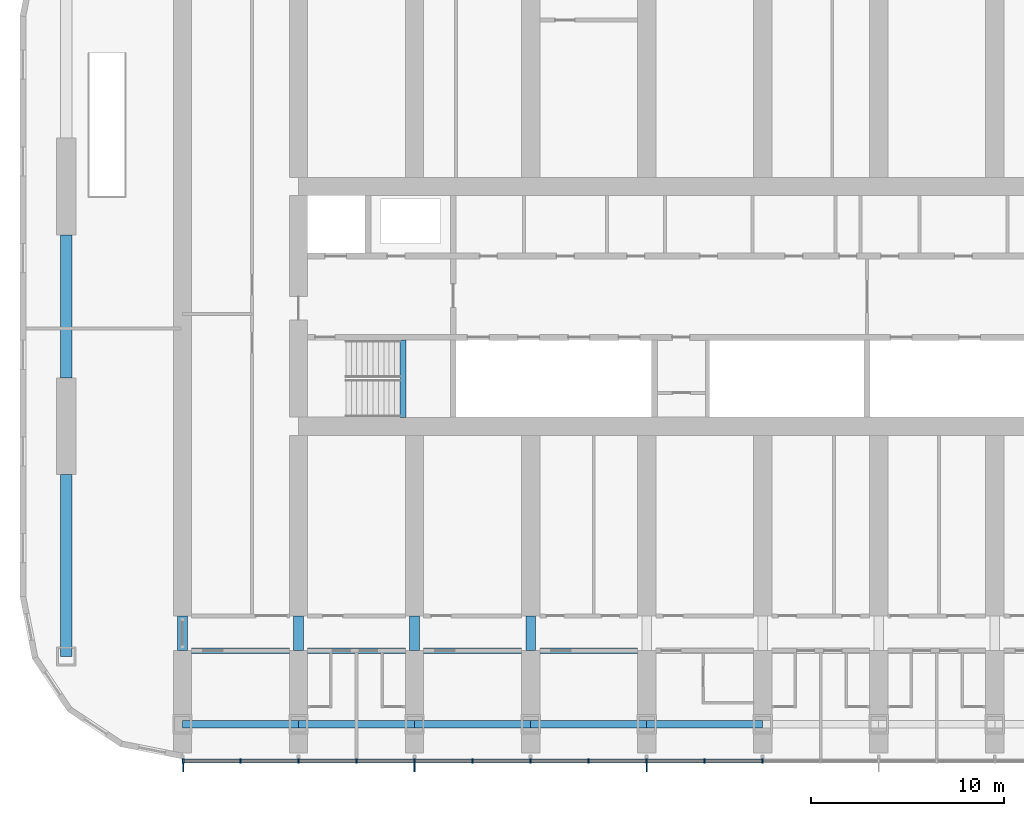
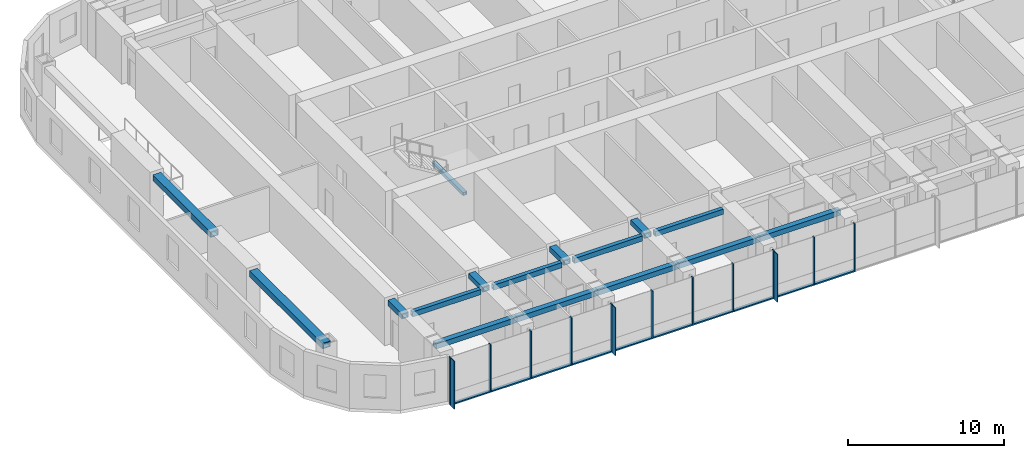
# One storey, part 2 of 21: 24 members, 16 beams, 1 element without a shape of its own.
"""IFC4 building model written with IfcOpenShell, lengths in metres."""

from ifc_helpers import new_model, si_unit, direction, frame, origin, origin_2d, place, context, subcontext, project, spatial, rectangle, hollow_rectangle, extrude, material, material_profile, profile_set, type_object, element, aggregate, save


model = new_model("IFC4")

# Units and contexts
model_context = context("Model", 3, precision=1e-05, world=origin(), true_north=direction((0.0, 1.0)))
body_context = subcontext(model_context, "Body", "Model", "MODEL_VIEW")
ifc_project = project(units=[si_unit("LENGTHUNIT", "METRE"), si_unit("AREAUNIT", "SQUARE_METRE"), si_unit("VOLUMEUNIT", "CUBIC_METRE"), si_unit("PLANEANGLEUNIT", "RADIAN"), si_unit("MASSUNIT", "GRAM", prefix="KILO")], contexts=[model_context])

# Site, building, storey
site_placement = place(None, origin())
site = spatial("IfcSite", under=ifc_project, at=site_placement, CompositionType="ELEMENT")
building_placement = place(site_placement, origin())
building = spatial("IfcBuilding", under=site, at=building_placement, Name="Orbita Commons", CompositionType="ELEMENT")
storey_placement = place(building_placement, frame((0.0, 0.0, 103.14990234375)))
storey = spatial("IfcBuildingStorey", under=building, at=storey_placement, Name="L25", CompositionType="ELEMENT", Elevation=103.14990234375)

# Curtain wall, members
ifc_material_1 = material(Name="Anodised aluminium frame, pale silver", Category="aluminium")
curtain_wall_type = type_object("IfcCurtainWallType", Name="Unitised curtain wall CW-T, vision and spandrel", PredefinedType="NOTDEFINED", material=ifc_material_1)
curtain_wall_placement = place(storey_placement, origin())
curtain_wall = element("IfcCurtainWall", 1, at=curtain_wall_placement, inside=storey, type_object=curtain_wall_type, Name="Curtain wall south L25", PredefinedType="NOTDEFINED")
ifc_material_2 = material(Name="Anodised aluminium, pale silver", Category="aluminium")
ifc_material_profile_1 = material_profile(ifc_material_2, rectangle(XDim=0.080078125, YDim=0.219970703125, at=origin_2d()), Name="AL 80x220")
ifc_profile_set_1 = profile_set([ifc_material_profile_1], Name="Anodised aluminium, pale silver")
member_type_1 = type_object("IfcMemberType", Name="Curtain wall mullion 80x220", PredefinedType="MULLION", material=ifc_profile_set_1)
member_1_placement = place(storey_placement, frame((12.0400390625, 8.489990234375, -0.25), z_axis=(0.0, 0.0, 1.0), x_axis=(1.0, 0.0, 0.0)))
member_1 = element("IfcMember", 2, at=member_1_placement, type_object=member_type_1, Name="Mullion 1 CW-L25-S", PredefinedType="MULLION", context=body_context, shape_type="SweptSolid", body=[
    extrude(rectangle(XDim=0.080078125, YDim=0.219970703125, at=origin_2d()), origin(), (0.0, 0.0, 1.0), 3.75),
])
member_2_placement = place(storey_placement, frame((15.0, 8.489990234375, -0.25), z_axis=(0.0, 0.0, 1.0), x_axis=(1.0, 0.0, 0.0)))
member_2 = element("IfcMember", 3, at=member_2_placement, type_object=member_type_1, Name="Mullion 2 CW-L25-S", PredefinedType="MULLION", context=body_context, shape_type="SweptSolid", body=[
    extrude(rectangle(XDim=0.080078125, YDim=0.219970703125, at=origin_2d()), origin(), (0.0, 0.0, 1.0), 3.75),
])
member_3_placement = place(storey_placement, frame((18.0, 8.489990234375, -0.25), z_axis=(0.0, 0.0, 1.0), x_axis=(1.0, 0.0, 0.0)))
member_3 = element("IfcMember", 4, at=member_3_placement, type_object=member_type_1, Name="Mullion 3 CW-L25-S", PredefinedType="MULLION", context=body_context, shape_type="SweptSolid", body=[
    extrude(rectangle(XDim=0.080078125, YDim=0.219970703125, at=origin_2d()), origin(), (0.0, 0.0, 1.0), 3.75),
])
member_4_placement = place(storey_placement, frame((21.0, 8.489990234375, -0.25), z_axis=(0.0, 0.0, 1.0), x_axis=(1.0, 0.0, 0.0)))
member_4 = element("IfcMember", 5, at=member_4_placement, type_object=member_type_1, Name="Mullion 4 CW-L25-S", PredefinedType="MULLION", context=body_context, shape_type="SweptSolid", body=[
    extrude(rectangle(XDim=0.080078125, YDim=0.219970703125, at=origin_2d()), origin(), (0.0, 0.0, 1.0), 3.75),
])
member_5_placement = place(storey_placement, frame((24.0, 8.489990234375, -0.25), z_axis=(0.0, 0.0, 1.0), x_axis=(1.0, 0.0, 0.0)))
member_5 = element("IfcMember", 6, at=member_5_placement, type_object=member_type_1, Name="Mullion 5 CW-L25-S", PredefinedType="MULLION", context=body_context, shape_type="SweptSolid", body=[
    extrude(rectangle(XDim=0.080078125, YDim=0.219970703125, at=origin_2d()), origin(), (0.0, 0.0, 1.0), 3.75),
])
member_6_placement = place(storey_placement, frame((27.0, 8.489990234375, -0.25), z_axis=(0.0, 0.0, 1.0), x_axis=(1.0, 0.0, 0.0)))
member_6 = element("IfcMember", 7, at=member_6_placement, type_object=member_type_1, Name="Mullion 6 CW-L25-S", PredefinedType="MULLION", context=body_context, shape_type="SweptSolid", body=[
    extrude(rectangle(XDim=0.080078125, YDim=0.219970703125, at=origin_2d()), origin(), (0.0, 0.0, 1.0), 3.75),
])
member_7_placement = place(storey_placement, frame((30.0, 8.489990234375, -0.25), z_axis=(0.0, 0.0, 1.0), x_axis=(1.0, 0.0, 0.0)))
member_7 = element("IfcMember", 8, at=member_7_placement, type_object=member_type_1, Name="Mullion 7 CW-L25-S", PredefinedType="MULLION", context=body_context, shape_type="SweptSolid", body=[
    extrude(rectangle(XDim=0.080078125, YDim=0.219970703125, at=origin_2d()), origin(), (0.0, 0.0, 1.0), 3.75),
])
member_8_placement = place(storey_placement, frame((33.0, 8.489990234375, -0.25), z_axis=(0.0, 0.0, 1.0), x_axis=(1.0, 0.0, 0.0)))
member_8 = element("IfcMember", 9, at=member_8_placement, type_object=member_type_1, Name="Mullion 8 CW-L25-S", PredefinedType="MULLION", context=body_context, shape_type="SweptSolid", body=[
    extrude(rectangle(XDim=0.080078125, YDim=0.219970703125, at=origin_2d()), origin(), (0.0, 0.0, 1.0), 3.75),
])
member_9_placement = place(storey_placement, frame((36.0, 8.489990234375, -0.25), z_axis=(0.0, 0.0, 1.0), x_axis=(1.0, 0.0, 0.0)))
member_9 = element("IfcMember", 10, at=member_9_placement, type_object=member_type_1, Name="Mullion 9 CW-L25-S", PredefinedType="MULLION", context=body_context, shape_type="SweptSolid", body=[
    extrude(rectangle(XDim=0.080078125, YDim=0.219970703125, at=origin_2d()), origin(), (0.0, 0.0, 1.0), 3.75),
])
member_10_placement = place(storey_placement, frame((39.0, 8.489990234375, -0.25), z_axis=(0.0, 0.0, 1.0), x_axis=(1.0, 0.0, 0.0)))
member_10 = element("IfcMember", 11, at=member_10_placement, type_object=member_type_1, Name="Mullion 10 CW-L25-S", PredefinedType="MULLION", context=body_context, shape_type="SweptSolid", body=[
    extrude(rectangle(XDim=0.080078125, YDim=0.219970703125, at=origin_2d()), origin(), (0.0, 0.0, 1.0), 3.75),
])
member_11_placement = place(storey_placement, frame((42.0, 8.489990234375, -0.25), z_axis=(0.0, 0.0, 1.0), x_axis=(1.0, 0.0, 0.0)))
member_11 = element("IfcMember", 12, at=member_11_placement, type_object=member_type_1, Name="Mullion 11 CW-L25-S", PredefinedType="MULLION", context=body_context, shape_type="SweptSolid", body=[
    extrude(rectangle(XDim=0.080078125, YDim=0.219970703125, at=origin_2d()), origin(), (0.0, 0.0, 1.0), 3.75),
])
ifc_material_3 = material(Name="Anodised aluminium, pale silver", Category="aluminium")
ifc_material_profile_2 = material_profile(ifc_material_3, rectangle(XDim=0.219970703125, YDim=0.10009765625, at=origin_2d()), Name="AL 220x100")
ifc_profile_set_2 = profile_set([ifc_material_profile_2], Name="Anodised aluminium, pale silver")
member_type_2 = type_object("IfcMemberType", Name="Curtain wall stack transom 220x100", PredefinedType="USERDEFINED", material=ifc_profile_set_2)
member_12_placement = place(storey_placement, frame((12.080078125, 8.489990234375, -0.199951171875), z_axis=(1.0, 0.0, 0.0), x_axis=(0.0, 1.0, 0.0)))
member_12 = element("IfcMember", 13, at=member_12_placement, type_object=member_type_2, Name="Transom 1.1 CW-L25-S", ObjectType="TRANSOM", PredefinedType="USERDEFINED", context=body_context, shape_type="SweptSolid", body=[
    extrude(rectangle(XDim=0.219970703125, YDim=0.10009765625, at=origin_2d()), origin(), (0.0, 0.0, 1.0), 2.8798828125),
])
member_13_placement = place(storey_placement, frame((15.0400390625, 8.489990234375, -0.199951171875), z_axis=(1.0, 0.0, 0.0), x_axis=(0.0, 1.0, 0.0)))
member_13 = element("IfcMember", 14, at=member_13_placement, type_object=member_type_2, Name="Transom 2.1 CW-L25-S", ObjectType="TRANSOM", PredefinedType="USERDEFINED", context=body_context, shape_type="SweptSolid", body=[
    extrude(rectangle(XDim=0.219970703125, YDim=0.10009765625, at=origin_2d()), origin(), (0.0, 0.0, 1.0), 2.919921875),
])
member_14_placement = place(storey_placement, frame((18.0400390625, 8.489990234375, -0.199951171875), z_axis=(1.0, 0.0, 0.0), x_axis=(0.0, 1.0, 0.0)))
member_14 = element("IfcMember", 15, at=member_14_placement, type_object=member_type_2, Name="Transom 3.1 CW-L25-S", ObjectType="TRANSOM", PredefinedType="USERDEFINED", context=body_context, shape_type="SweptSolid", body=[
    extrude(rectangle(XDim=0.219970703125, YDim=0.10009765625, at=origin_2d()), origin(), (0.0, 0.0, 1.0), 2.919921875),
])
member_15_placement = place(storey_placement, frame((21.0400390625, 8.489990234375, -0.199951171875), z_axis=(1.0, 0.0, 0.0), x_axis=(0.0, 1.0, 0.0)))
member_15 = element("IfcMember", 16, at=member_15_placement, type_object=member_type_2, Name="Transom 4.1 CW-L25-S", ObjectType="TRANSOM", PredefinedType="USERDEFINED", context=body_context, shape_type="SweptSolid", body=[
    extrude(rectangle(XDim=0.219970703125, YDim=0.10009765625, at=origin_2d()), origin(), (0.0, 0.0, 1.0), 2.919921875),
])
member_16_placement = place(storey_placement, frame((24.0400390625, 8.489990234375, -0.199951171875), z_axis=(1.0, 0.0, 0.0), x_axis=(0.0, 1.0, 0.0)))
member_16 = element("IfcMember", 17, at=member_16_placement, type_object=member_type_2, Name="Transom 5.1 CW-L25-S", ObjectType="TRANSOM", PredefinedType="USERDEFINED", context=body_context, shape_type="SweptSolid", body=[
    extrude(rectangle(XDim=0.219970703125, YDim=0.10009765625, at=origin_2d()), origin(), (0.0, 0.0, 1.0), 2.919921875),
])
member_17_placement = place(storey_placement, frame((27.0400390625, 8.489990234375, -0.199951171875), z_axis=(1.0, 0.0, 0.0), x_axis=(0.0, 1.0, 0.0)))
member_17 = element("IfcMember", 18, at=member_17_placement, type_object=member_type_2, Name="Transom 6.1 CW-L25-S", ObjectType="TRANSOM", PredefinedType="USERDEFINED", context=body_context, shape_type="SweptSolid", body=[
    extrude(rectangle(XDim=0.219970703125, YDim=0.10009765625, at=origin_2d()), origin(), (0.0, 0.0, 1.0), 2.919921875),
])
member_18_placement = place(storey_placement, frame((30.0400390625, 8.489990234375, -0.199951171875), z_axis=(1.0, 0.0, 0.0), x_axis=(0.0, 1.0, 0.0)))
member_18 = element("IfcMember", 19, at=member_18_placement, type_object=member_type_2, Name="Transom 7.1 CW-L25-S", ObjectType="TRANSOM", PredefinedType="USERDEFINED", context=body_context, shape_type="SweptSolid", body=[
    extrude(rectangle(XDim=0.219970703125, YDim=0.10009765625, at=origin_2d()), origin(), (0.0, 0.0, 1.0), 2.919921875),
])
member_19_placement = place(storey_placement, frame((33.0400390625, 8.489990234375, -0.199951171875), z_axis=(1.0, 0.0, 0.0), x_axis=(0.0, 1.0, 0.0)))
member_19 = element("IfcMember", 20, at=member_19_placement, type_object=member_type_2, Name="Transom 8.1 CW-L25-S", ObjectType="TRANSOM", PredefinedType="USERDEFINED", context=body_context, shape_type="SweptSolid", body=[
    extrude(rectangle(XDim=0.219970703125, YDim=0.10009765625, at=origin_2d()), origin(), (0.0, 0.0, 1.0), 2.919921875),
])
member_20_placement = place(storey_placement, frame((36.0400390625, 8.489990234375, -0.199951171875), z_axis=(1.0, 0.0, 0.0), x_axis=(0.0, 1.0, 0.0)))
member_20 = element("IfcMember", 21, at=member_20_placement, type_object=member_type_2, Name="Transom 9.1 CW-L25-S", ObjectType="TRANSOM", PredefinedType="USERDEFINED", context=body_context, shape_type="SweptSolid", body=[
    extrude(rectangle(XDim=0.219970703125, YDim=0.10009765625, at=origin_2d()), origin(), (0.0, 0.0, 1.0), 2.919921875),
])
member_21_placement = place(storey_placement, frame((39.0400390625, 8.489990234375, -0.199951171875), z_axis=(1.0, 0.0, 0.0), x_axis=(0.0, 1.0, 0.0)))
member_21 = element("IfcMember", 22, at=member_21_placement, type_object=member_type_2, Name="Transom 10.1 CW-L25-S", ObjectType="TRANSOM", PredefinedType="USERDEFINED", context=body_context, shape_type="SweptSolid", body=[
    extrude(rectangle(XDim=0.219970703125, YDim=0.10009765625, at=origin_2d()), origin(), (0.0, 0.0, 1.0), 2.919921875),
])

# Beams
ifc_material_4 = material(Name="Steel ASTM A572 Gr 50 welded plate", Category="steel")
ifc_material_profile_3 = material_profile(ifc_material_4, hollow_rectangle(XDim=0.300048828125, YDim=0.25, WallThickness=0.02490234375, at=origin_2d()), Name="BOX 250x300x25")
ifc_profile_set_3 = profile_set([ifc_material_profile_3], Name="Steel ASTM A572 Gr 50 welded plate")
beam_type_1 = type_object("IfcBeamType", Name="Stair landing beam steel BOX 250x300x25", PredefinedType="BEAM", material=ifc_profile_set_3)
beam_1_placement = place(storey_placement, frame((23.39990234375, 26.260009765625, 1.550048828125), z_axis=(0.0, 1.0, 0.0), x_axis=(-1.0, 0.0, 0.0)))
element("IfcBeam", 23, at=beam_1_placement, inside=storey, type_object=beam_type_1, Name="Stair S1 landing beam L25 1", PredefinedType="BEAM", context=body_context, shape_type="SweptSolid", body=[
    extrude(hollow_rectangle(XDim=0.300048828125, YDim=0.25, WallThickness=0.02490234375, at=origin_2d()), origin(), (0.0, 0.0, 1.0), 4.0048828125),
])
ifc_material_5 = material(Name="Steel ASTM A572 Gr 50 welded plate", Category="steel")
ifc_material_profile_4 = material_profile(ifc_material_5, hollow_rectangle(XDim=0.300048828125, YDim=0.39990234375, WallThickness=0.0400390625, at=origin_2d()), Name="BOX 400x300x40")
ifc_profile_set_4 = profile_set([ifc_material_profile_4], Name="Steel ASTM A572 Gr 50 welded plate")
beam_type_2 = type_object("IfcBeamType", Name="Steel corridor link BOX 400x300x40", PredefinedType="BEAM", material=ifc_profile_set_4)
for number, where, z_axis, x_axis, name in (
    (24, (12.47509765625, 14.199951171875, 3.300048828125), (1.0, 0.0, 0.0), (0.0, 1.0, 0.0), "Corridor beam SA 3-4 L25"),
    (25, (18.47509765625, 14.199951171875, 3.300048828125), (1.0, 0.0, 0.0), (0.0, 1.0, 0.0), "Corridor beam SA 4-5 L25"),
    (26, (24.47509765625, 14.199951171875, 3.300048828125), (1.0, 0.0, 0.0), (0.0, 1.0, 0.0), "Corridor beam SA 5-6 L25"),
    (27, (30.47509765625, 14.199951171875, 3.300048828125), (1.0, 0.0, 0.0), (0.0, 1.0, 0.0), "Corridor beam SA 6-7 L25"),
):
    element("IfcBeam", number, at=place(storey_placement, frame(where, z_axis=z_axis, x_axis=x_axis)), inside=storey, type_object=beam_type_2, Name=name, PredefinedType="BEAM", context=body_context, shape_type="SweptSolid", body=[
        extrude(hollow_rectangle(XDim=0.300048828125, YDim=0.39990234375, WallThickness=0.0400390625, at=origin_2d()), origin(), (0.0, 0.0, 1.0), 5.0498046875),
    ])
ifc_material_6 = material(Name="Steel ASTM A572 Gr 50 welded plate", Category="steel")
ifc_material_profile_5 = material_profile(ifc_material_6, hollow_rectangle(XDim=0.5, YDim=0.39990234375, WallThickness=0.050048828125, at=origin_2d()), Name="BOX 400x500x50")
ifc_profile_set_5 = profile_set([ifc_material_profile_5], Name="Steel ASTM A572 Gr 50 welded plate")
beam_type_3 = type_object("IfcBeamType", Name="Steel coupling link BOX 400x500x50", PredefinedType="LINTEL", material=ifc_profile_set_5)
for number, where, z_axis, x_axis, name in (
    (28, (12.0, 14.199951171875, 3.300048828125), (0.0, 1.0, 0.0), (-1.0, 0.0, 0.0), "Coupling beam 3 south L25"),
    (29, (18.0, 14.199951171875, 3.300048828125), (0.0, 1.0, 0.0), (-1.0, 0.0, 0.0), "Coupling beam 4 south L25"),
    (30, (24.0, 14.199951171875, 3.300048828125), (0.0, 1.0, 0.0), (-1.0, 0.0, 0.0), "Coupling beam 5 south L25"),
    (31, (30.0, 14.199951171875, 3.300048828125), (0.0, 1.0, 0.0), (-1.0, 0.0, 0.0), "Coupling beam 6 south L25"),
):
    element("IfcBeam", number, at=place(storey_placement, frame(where, z_axis=z_axis, x_axis=x_axis)), inside=storey, type_object=beam_type_3, Name=name, PredefinedType="LINTEL", context=body_context, shape_type="SweptSolid", body=[
        extrude(hollow_rectangle(XDim=0.5, YDim=0.39990234375, WallThickness=0.050048828125, at=origin_2d()), origin(), (0.0, 0.0, 1.0), 1.800048828125),
    ])
ifc_material_7 = material(Name="Steel ASTM A572 Gr 50 welded plate", Category="steel")
ifc_material_profile_6 = material_profile(ifc_material_7, hollow_rectangle(XDim=0.60009765625, YDim=0.449951171875, WallThickness=0.06005859375, at=origin_2d()), Name="BOX 450x600x60")
ifc_profile_set_6 = profile_set([ifc_material_profile_6], Name="Steel ASTM A572 Gr 50 welded plate")
beam_type_4 = type_object("IfcBeamType", Name="Steel end frame link BOX 450x600x60", PredefinedType="BEAM", material=ifc_profile_set_6)
beam_2_placement = place(storey_placement, frame((6.0, 13.89990234375, 3.275146484375), z_axis=(0.0, 1.0, 0.0), x_axis=(-1.0, 0.0, 0.0)))
element("IfcBeam", 32, at=beam_2_placement, inside=storey, type_object=beam_type_4, Name="End frame beam 2 B-C L25", PredefinedType="BEAM", context=body_context, shape_type="SweptSolid", body=[
    extrude(hollow_rectangle(XDim=0.60009765625, YDim=0.449951171875, WallThickness=0.06005859375, at=origin_2d()), origin(), (0.0, 0.0, 1.0), 9.400146484375),
])
beam_3_placement = place(storey_placement, frame((6.0, 28.300048828125, 3.275146484375), z_axis=(0.0, 1.0, 0.0), x_axis=(-1.0, 0.0, 0.0)))
element("IfcBeam", 33, at=beam_3_placement, inside=storey, type_object=beam_type_4, Name="End frame beam 2 C-D L25", PredefinedType="BEAM", context=body_context, shape_type="SweptSolid", body=[
    extrude(hollow_rectangle(XDim=0.60009765625, YDim=0.449951171875, WallThickness=0.06005859375, at=origin_2d()), origin(), (0.0, 0.0, 1.0), 7.39990234375),
])
ifc_material_8 = material(Name="Steel ASTM A572 Gr 50 welded plate", Category="steel")
ifc_material_profile_7 = material_profile(ifc_material_8, hollow_rectangle(XDim=0.39990234375, YDim=0.39990234375, WallThickness=0.0400390625, at=origin_2d()), Name="BOX 400x400x40")
ifc_profile_set_7 = profile_set([ifc_material_profile_7], Name="Steel ASTM A572 Gr 50 welded plate")
beam_type_5 = type_object("IfcBeamType", Name="Steel spandrel BOX 400x400x40", PredefinedType="SPANDREL", material=ifc_profile_set_7)
for number, where, z_axis, x_axis, name in (
    (34, (12.0, 10.39990234375, 3.300048828125), (1.0, 0.0, 0.0), (0.0, 1.0, 0.0), "Spandrel beam B 3-4 L25"),
    (35, (18.0, 10.39990234375, 3.300048828125), (1.0, 0.0, 0.0), (0.0, 1.0, 0.0), "Spandrel beam B 4-5 L25"),
    (36, (24.0, 10.39990234375, 3.300048828125), (1.0, 0.0, 0.0), (0.0, 1.0, 0.0), "Spandrel beam B 5-6 L25"),
    (37, (30.0, 10.39990234375, 3.300048828125), (1.0, 0.0, 0.0), (0.0, 1.0, 0.0), "Spandrel beam B 6-7 L25"),
    (38, (36.0, 10.39990234375, 3.300048828125), (1.0, 0.0, 0.0), (0.0, 1.0, 0.0), "Spandrel beam B 7-8 L25"),
):
    element("IfcBeam", number, at=place(storey_placement, frame(where, z_axis=z_axis, x_axis=x_axis)), inside=storey, type_object=beam_type_5, Name=name, PredefinedType="SPANDREL", context=body_context, shape_type="SweptSolid", body=[
        extrude(hollow_rectangle(XDim=0.39990234375, YDim=0.39990234375, WallThickness=0.0400390625, at=origin_2d()), origin(), (0.0, 0.0, 1.0), 6.0),
    ])

# Member
ifc_material_9 = material(Name="Anodised aluminium, pale silver", Category="aluminium")
ifc_material_profile_8 = material_profile(ifc_material_9, rectangle(XDim=0.06005859375, YDim=0.449951171875, at=origin_2d()), Name="FIN 60x450")
ifc_profile_set_8 = profile_set([ifc_material_profile_8], Name="Anodised aluminium, pale silver")
member_type_3 = type_object("IfcMemberType", Name="Vertical fin 60x450 pale aluminium", PredefinedType="USERDEFINED", material=ifc_profile_set_8)
member_22_placement = place(storey_placement, frame((12.0400390625, 8.155029296875, -0.25), z_axis=(0.0, 0.0, 1.0), x_axis=(1.0, 0.0, 0.0)))
member_22 = element("IfcMember", 39, at=member_22_placement, type_object=member_type_3, Name="Fin 1 CW-L25-S", ObjectType="FIN", PredefinedType="USERDEFINED", context=body_context, shape_type="SweptSolid", body=[
    extrude(rectangle(XDim=0.06005859375, YDim=0.449951171875, at=origin_2d()), origin(), (0.0, 0.0, 1.0), 3.75),
])

member_23_placement = place(storey_placement, frame((24.0, 8.155029296875, -0.25), z_axis=(0.0, 0.0, 1.0), x_axis=(1.0, 0.0, 0.0)))
member_23 = element("IfcMember", 40, at=member_23_placement, type_object=member_type_3, Name="Fin 5 CW-L25-S", ObjectType="FIN", PredefinedType="USERDEFINED", context=body_context, shape_type="SweptSolid", body=[
    extrude(rectangle(XDim=0.06005859375, YDim=0.449951171875, at=origin_2d()), origin(), (0.0, 0.0, 1.0), 3.75),
])

member_24_placement = place(storey_placement, frame((36.0, 8.155029296875, -0.25), z_axis=(0.0, 0.0, 1.0), x_axis=(1.0, 0.0, 0.0)))
member_24 = element("IfcMember", 41, at=member_24_placement, type_object=member_type_3, Name="Fin 9 CW-L25-S", ObjectType="FIN", PredefinedType="USERDEFINED", context=body_context, shape_type="SweptSolid", body=[
    extrude(rectangle(XDim=0.06005859375, YDim=0.449951171875, at=origin_2d()), origin(), (0.0, 0.0, 1.0), 3.75),
])

aggregate(curtain_wall, [member_1, member_22, member_2, member_3, member_4, member_5, member_23, member_6, member_7, member_8, member_9, member_24, member_10, member_11, member_12, member_13, member_14, member_15, member_16, member_17, member_18, member_19, member_20, member_21])

save(model, "model.ifc")
